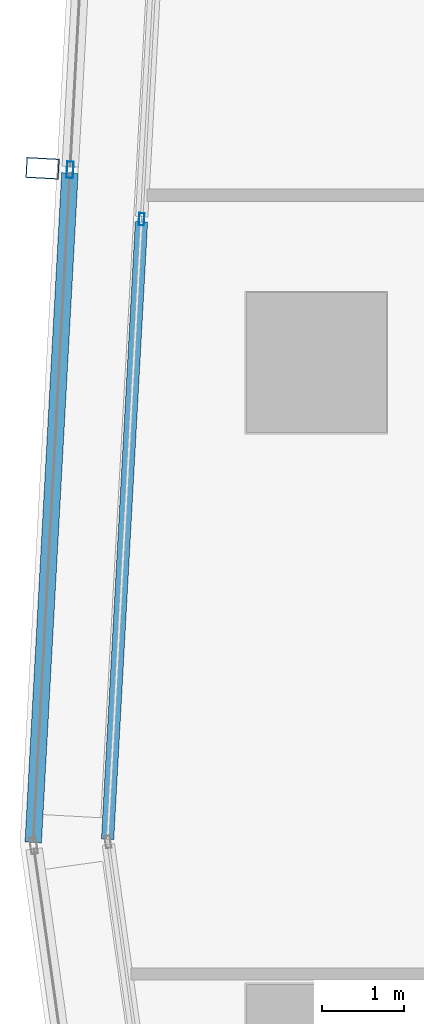
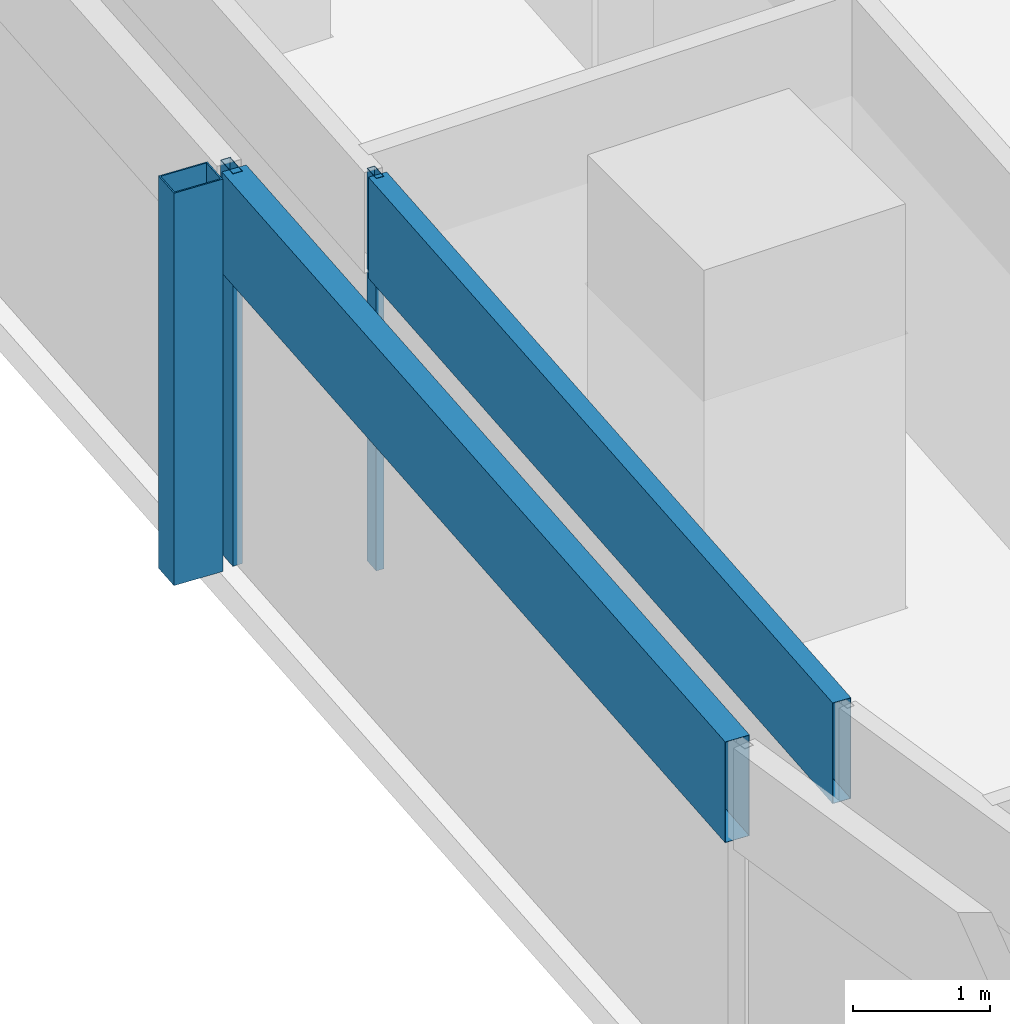
# One storey, part 7 of 40: 5 members, 2 elements without a shape of their own.
"""IFC4 building model written with IfcOpenShell, lengths in metres."""

from ifc_helpers import new_model, si_unit, direction, frame, origin, origin_2d, place, context, subcontext, project, spatial, hollow_rectangle, extrude, material, material_profile, profile_set, type_object, element, aggregate, save


model = new_model("IFC4")

# Units and contexts
model_context = context("Model", 3, precision=1e-05, world=origin(), true_north=direction((0.0, 1.0)))
body_context = subcontext(model_context, "Body", "Model", "MODEL_VIEW")
ifc_project = project(units=[si_unit("LENGTHUNIT", "METRE"), si_unit("AREAUNIT", "SQUARE_METRE"), si_unit("VOLUMEUNIT", "CUBIC_METRE"), si_unit("PLANEANGLEUNIT", "RADIAN"), si_unit("MASSUNIT", "GRAM", prefix="KILO")], contexts=[model_context])

# Site, building, storey
site_placement = place(None, origin())
site = spatial("IfcSite", under=ifc_project, at=site_placement, CompositionType="ELEMENT")
building_placement = place(site_placement, origin())
building = spatial("IfcBuilding", under=site, at=building_placement, Name="Rekha Terrace Tower", CompositionType="ELEMENT")
storey_placement = place(building_placement, frame((0.0, 0.0, 125.300048828125)))
storey = spatial("IfcBuildingStorey", under=building, at=storey_placement, Name="L31", CompositionType="ELEMENT", Elevation=125.300048828125)

# Curtain wall, member
ifc_material_1 = material(Name="Aluminium framing", Category="aluminium")
curtain_wall_type_1 = type_object("IfcCurtainWallType", Name="CW2 double skin outer glazing", PredefinedType="USERDEFINED", material=ifc_material_1)
curtain_wall_1_placement = place(storey_placement, origin())
curtain_wall_1 = element("IfcCurtainWall", 1, at=curtain_wall_1_placement, inside=storey, type_object=curtain_wall_type_1, Name="CW2 double skin outer glazing", ObjectType="DOUBLE SKIN OUTER GLAZING", PredefinedType="USERDEFINED")
ifc_material_2 = material(Name="Steel S355 with fluorocarbon finish", Category="steel")
ifc_material_profile_1 = material_profile(ifc_material_2, hollow_rectangle(XDim=0.25, YDim=0.39990234375, WallThickness=0.012451171875, at=origin_2d()), Name="RHS400x250x12.5")
ifc_profile_set_1 = profile_set([ifc_material_profile_1], Name="Steel S355 with fluorocarbon finish")
member_type_1 = type_object("IfcMemberType", Name="BL1 facade blade RHS 400 x 250", PredefinedType="USERDEFINED", material=ifc_profile_set_1)
member_1_placement = place(storey_placement, frame((5.073974609375, 35.9609375, 0.0), z_axis=(0.0, 0.0, 1.0), x_axis=(-0.054742798353, -0.998500488747, 0.0)))
member_1 = element("IfcMember", 2, at=member_1_placement, type_object=member_type_1, Name="Facade blade", ObjectType="FACADE BLADE", PredefinedType="USERDEFINED", context=body_context, shape_type="SweptSolid", body=[
    extrude(hollow_rectangle(XDim=0.25, YDim=0.39990234375, WallThickness=0.012451171875, at=origin_2d()), origin(), (0.0, 0.0, 1.0), 3.5),
])

# Curtain wall, members
curtain_wall_type_2 = type_object("IfcCurtainWallType", Name="CW1 double skin inner glazing", PredefinedType="USERDEFINED", material=ifc_material_1)
curtain_wall_2_placement = place(storey_placement, origin())
curtain_wall_2 = element("IfcCurtainWall", 3, at=curtain_wall_2_placement, inside=storey, type_object=curtain_wall_type_2, Name="CW1 double skin inner glazing", ObjectType="DOUBLE SKIN INNER GLAZING", PredefinedType="USERDEFINED")
ifc_material_3 = material(Name="Aluminium mullion section", Category="aluminium")
ifc_material_profile_2 = material_profile(ifc_material_3, hollow_rectangle(XDim=0.06494140625, YDim=0.14990234375, WallThickness=0.00390625, at=origin_2d()), Name="AL RHS 65x150")
ifc_profile_set_2 = profile_set([ifc_material_profile_2], Name="Aluminium mullion section")
member_type_2 = type_object("IfcMemberType", Name="CW1 mullion RHS 65 x 150", PredefinedType="MULLION", material=ifc_profile_set_2)
member_2_placement = place(storey_placement, frame((6.27685546875, 35.343017578125, 0.0), z_axis=(0.0, 0.0, 1.0), x_axis=(0.99850051318, -0.054742352707, 0.0)))
member_2 = element("IfcMember", 4, at=member_2_placement, type_object=member_type_2, Name="CW1 mullion 4", PredefinedType="MULLION", context=body_context, shape_type="SweptSolid", body=[
    extrude(hollow_rectangle(XDim=0.06494140625, YDim=0.14990234375, WallThickness=0.00390625, at=origin_2d()), origin(), (0.0, 0.0, 1.0), 3.5),
])
ifc_material_4 = material(Name="Insulated aluminium spandrel box", Category="aluminium")
ifc_material_profile_3 = material_profile(ifc_material_4, hollow_rectangle(XDim=0.14990234375, YDim=0.89990234375, WallThickness=0.0029296875, at=origin_2d()), Name="AL SPANDREL BOX 150x900")
ifc_profile_set_3 = profile_set([ifc_material_profile_3], Name="Insulated aluminium spandrel box")
member_type_3 = type_object("IfcMemberType", Name="CW1 spandrel transom 150 x 900", PredefinedType="USERDEFINED", material=ifc_profile_set_3)
member_3_placement = place(storey_placement, frame((6.275146484375, 35.310546875, 3.050048828125), z_axis=(-0.054756855706, -0.998499717953, 0.0), x_axis=(0.998499717953, -0.054756855706, 0.0)))
member_3 = element("IfcMember", 5, at=member_3_placement, type_object=member_type_3, Name="CW1 spandrel transom 4", ObjectType="TRANSOM", PredefinedType="USERDEFINED", context=body_context, shape_type="SweptSolid", body=[
    extrude(hollow_rectangle(XDim=0.14990234375, YDim=0.89990234375, WallThickness=0.0029296875, at=origin_2d()), origin(), (0.0, 0.0, 1.0), 7.50830078125),
])
aggregate(curtain_wall_2, [member_2, member_3])

# Member
ifc_material_profile_4 = material_profile(ifc_material_3, hollow_rectangle(XDim=0.080078125, YDim=0.199951171875, WallThickness=0.00390625, at=origin_2d()), Name="AL RHS 80x200")
ifc_profile_set_4 = profile_set([ifc_material_profile_4], Name="Aluminium mullion section")
member_type_4 = type_object("IfcMemberType", Name="CW2 mullion RHS 80 x 200", PredefinedType="MULLION", material=ifc_profile_set_4)
member_4_placement = place(storey_placement, frame((5.408447265625, 35.942626953125, 0.0), z_axis=(0.0, 0.0, 1.0), x_axis=(0.99850051318, -0.054742352707, 0.0)))
member_4 = element("IfcMember", 6, at=member_4_placement, type_object=member_type_4, Name="CW2 mullion 4", PredefinedType="MULLION", context=body_context, shape_type="SweptSolid", body=[
    extrude(hollow_rectangle(XDim=0.080078125, YDim=0.199951171875, WallThickness=0.00390625, at=origin_2d()), origin(), (0.0, 0.0, 1.0), 3.5),
])

ifc_material_profile_5 = material_profile(ifc_material_4, hollow_rectangle(XDim=0.199951171875, YDim=0.89990234375, WallThickness=0.0029296875, at=origin_2d()), Name="AL SPANDREL BOX 200x900")
ifc_profile_set_5 = profile_set([ifc_material_profile_5], Name="Insulated aluminium spandrel box")
member_type_5 = type_object("IfcMemberType", Name="CW2 spandrel transom 200 x 900", PredefinedType="USERDEFINED", material=ifc_profile_set_5)
member_5_placement = place(storey_placement, frame((5.40625, 35.902587890625, 3.050048828125), z_axis=(-0.054737434401, -0.998500782812, 0.0), x_axis=(0.998500782812, -0.054737434401, 0.0)))
member_5 = element("IfcMember", 7, at=member_5_placement, type_object=member_type_5, Name="CW2 spandrel transom 4", ObjectType="TRANSOM", PredefinedType="USERDEFINED", context=body_context, shape_type="SweptSolid", body=[
    extrude(hollow_rectangle(XDim=0.199951171875, YDim=0.89990234375, WallThickness=0.0029296875, at=origin_2d()), origin(), (0.0, 0.0, 1.0), 8.139892578125),
])

aggregate(curtain_wall_1, [member_4, member_5, member_1])

save(model, "model.ifc")
